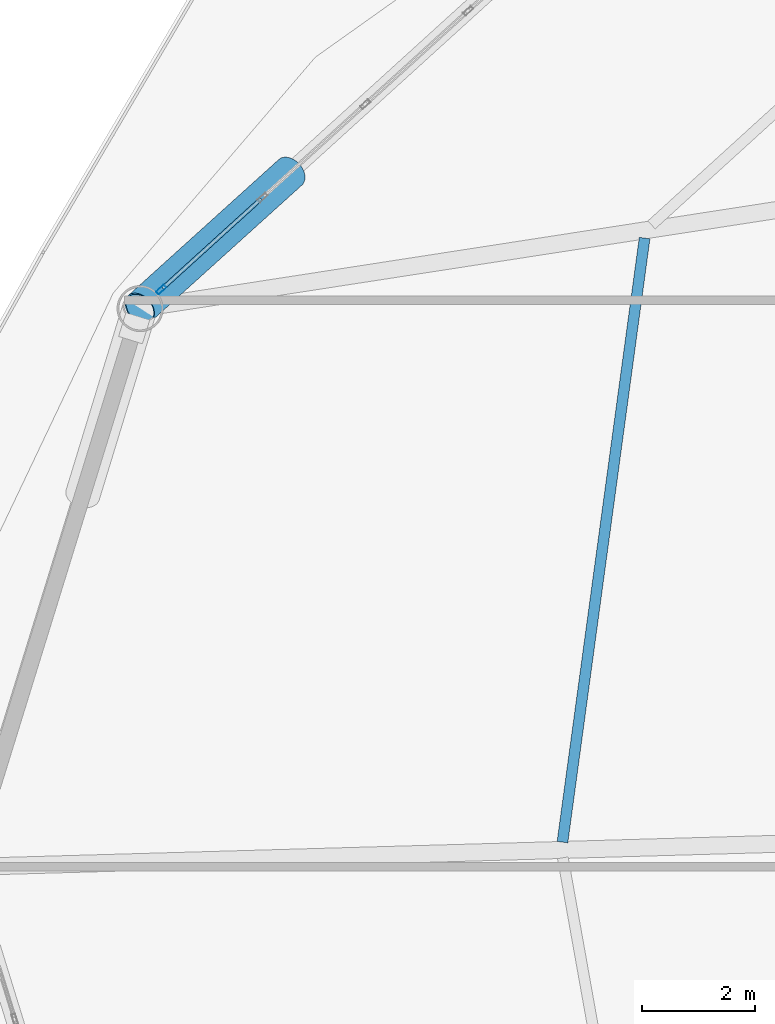
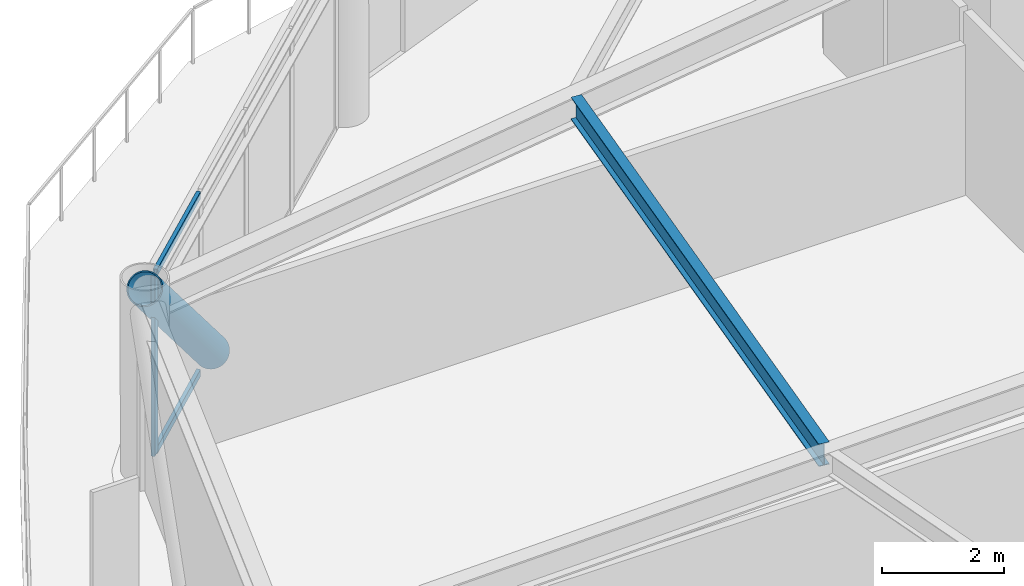
# One storey, part 9 of 23: 4 members, 1 beam, 1 element without a shape of its own.
"""IFC4 building model written with IfcOpenShell, lengths in metres."""

from ifc_helpers import new_model, si_unit, direction, frame, origin, origin_2d, place, context, subcontext, project, spatial, hollow_rectangle, hollow_circle, i_section, extrude, material, layer, layer_set, material_profile, profile_set, type_object, element, aggregate, save


model = new_model("IFC4")

# Units and contexts
model_context = context("Model", 3, precision=1e-05, world=origin(), true_north=direction((0.0, 1.0)))
body_context = subcontext(model_context, "Body", "Model", "MODEL_VIEW")
ifc_project = project(units=[si_unit("LENGTHUNIT", "METRE"), si_unit("AREAUNIT", "SQUARE_METRE"), si_unit("VOLUMEUNIT", "CUBIC_METRE"), si_unit("PLANEANGLEUNIT", "RADIAN"), si_unit("MASSUNIT", "GRAM", prefix="KILO")], contexts=[model_context])

# Site, building, storey
site_placement = place(None, origin())
site = spatial("IfcSite", under=ifc_project, at=site_placement, CompositionType="ELEMENT")
building_placement = place(site_placement, origin())
building = spatial("IfcBuilding", under=site, at=building_placement, Name="Varnakorn Sky Granary", CompositionType="ELEMENT")
storey_placement = place(building_placement, frame((0.0, 0.0, 83.699951171875)))
storey = spatial("IfcBuildingStorey", under=building, at=storey_placement, Name="L20", CompositionType="ELEMENT", Elevation=83.699951171875)

# Beam
ifc_material_1 = material(Name="Steel S355JR", Category="steel")
ifc_material_profile_1 = material_profile(ifc_material_1, i_section(OverallWidth=0.18994140625, OverallDepth=0.449951171875, WebThickness=0.009521484375, FlangeThickness=0.0146484375, at=origin_2d()), Name="IPE 450")
ifc_profile_set_1 = profile_set([ifc_material_profile_1], Name="Steel S355JR")
beam_type = type_object("IfcBeamType", Name="BM-SEC-Z2", PredefinedType="BEAM", material=ifc_profile_set_1)
beam_placement = place(storey_placement, frame((-11.395751953125, 11.097900390625, 3.4150390625), z_axis=(-0.134758741535, -0.990878439356, 0.0), x_axis=(0.990878439356, -0.134758741535, 0.0)))
element("IfcBeam", 1, at=beam_placement, inside=storey, type_object=beam_type, Name="Secondary Floor Chord Beam MSB06 L20", PredefinedType="BEAM", context=body_context, shape_type="SweptSolid", body=[
    extrude(i_section(OverallWidth=0.18994140625, OverallDepth=0.449951171875, WebThickness=0.009521484375, FlangeThickness=0.0146484375, at=origin_2d()), origin(), (0.0, 0.0, 1.0), 10.7578125),
])

# Curtain wall, members
ifc_material_2 = material(Name="Anodised Bronze Aluminium Alloy 6063-T6", Category="aluminium")
ifc_layer = layer(ifc_material_2, 0.18994140625, Name="Anodised Bronze Aluminium Alloy 6063-T6")
ifc_layer_set = layer_set([ifc_layer], Name="Anodised Bronze Aluminium Alloy 6063-T6")
curtain_wall_type = type_object("IfcCurtainWallType", Name="CW-FRM-1", PredefinedType="USERDEFINED", material=ifc_layer_set)
curtain_wall_placement = place(storey_placement, origin())
curtain_wall = element("IfcCurtainWall", 2, at=curtain_wall_placement, inside=storey, type_object=curtain_wall_type, Name="Unitised Curtain Wall CW3 CW-L20-B05", ObjectType="CURTAIN WALL", PredefinedType="USERDEFINED")
ifc_material_profile_2 = material_profile(ifc_material_2, hollow_rectangle(XDim=0.070068359375, YDim=0.18505859375, WallThickness=0.00390625, at=origin_2d()), Name="ALU MULL 70x185")
ifc_profile_set_2 = profile_set([ifc_material_profile_2], Name="Anodised Bronze Aluminium Alloy 6063-T6")
member_type_1 = type_object("IfcMemberType", Name="CW-FRM-1-MULL", PredefinedType="MULLION", material=ifc_profile_set_2)
member_1_placement = place(storey_placement, frame((-19.92578125, 10.190673828125, 0.0), z_axis=(0.0, 0.0, 1.0), x_axis=(-0.672210876204, 0.740359735476, 0.0)))
member_1 = element("IfcMember", 3, at=member_1_placement, type_object=member_type_1, Name="CW3 mullion 1", PredefinedType="MULLION", context=body_context, shape_type="SweptSolid", body=[
    extrude(hollow_rectangle(XDim=0.070068359375, YDim=0.18505859375, WallThickness=0.00390625, at=origin_2d()), origin(), (0.0, 0.0, 1.0), 3.64013671875),
])
ifc_material_profile_3 = material_profile(ifc_material_2, hollow_rectangle(XDim=0.070068359375, YDim=0.139892578125, WallThickness=0.00341796875, at=origin_2d()), Name="ALU TRAN 70x140")
ifc_profile_set_3 = profile_set([ifc_material_profile_3], Name="Anodised Bronze Aluminium Alloy 6063-T6")
member_type_2 = type_object("IfcMemberType", Name="CW-FRM-1-TRAN", PredefinedType="USERDEFINED", material=ifc_profile_set_3)
member_2_placement = place(storey_placement, frame((-19.89990234375, 10.214111328125, 0.03515625), z_axis=(0.740387541262, 0.672180250189, 0.0), x_axis=(-0.672180250189, 0.740387541262, 0.0)))
member_2 = element("IfcMember", 4, at=member_2_placement, type_object=member_type_2, Name="CW3 transom 1.1", ObjectType="TRANSOM", PredefinedType="USERDEFINED", context=body_context, shape_type="SweptSolid", body=[
    extrude(hollow_rectangle(XDim=0.070068359375, YDim=0.139892578125, WallThickness=0.00341796875, at=origin_2d()), origin(), (0.0, 0.0, 1.0), 2.344482421875),
])
member_3_placement = place(storey_placement, frame((-19.89990234375, 10.214111328125, 3.60498046875), z_axis=(0.740387541262, 0.672180250189, 0.0), x_axis=(-0.672180250189, 0.740387541262, 0.0)))
member_3 = element("IfcMember", 5, at=member_3_placement, type_object=member_type_2, Name="CW3 transom 1.2", ObjectType="TRANSOM", PredefinedType="USERDEFINED", context=body_context, shape_type="SweptSolid", body=[
    extrude(hollow_rectangle(XDim=0.070068359375, YDim=0.139892578125, WallThickness=0.00341796875, at=origin_2d()), origin(), (0.0, 0.0, 1.0), 2.344482421875),
])
aggregate(curtain_wall, [member_1, member_2, member_3])

# Member
ifc_material_3 = material(Name="Steel S460M", Category="steel")
ifc_material_profile_4 = material_profile(ifc_material_3, hollow_circle(Radius=0.304931640625, WallThickness=0.022216796875, at=origin_2d()), Name="CHS 610x22")
ifc_profile_set_4 = profile_set([ifc_material_profile_4], Name="Steel S460M")
member_type_3 = type_object("IfcMemberType", Name="MB-DIAG-T1", PredefinedType="BRACE", material=ifc_profile_set_4)
member_4_placement = place(storey_placement, frame((-17.64892578125, 12.2578125, 0.0), z_axis=(-0.520321998691, -0.470116328904, 0.71292051098), x_axis=(0.670402536768, -0.741997600195, 0.0)))
element("IfcMember", 6, at=member_4_placement, inside=storey, type_object=member_type_3, Name="Perimeter CHS Diagrid Brace DG05 L20", PredefinedType="BRACE", context=body_context, shape_type="SweptSolid", body=[
    extrude(hollow_circle(Radius=0.304931640625, WallThickness=0.022216796875, at=origin_2d()), origin(), (0.0, 0.0, 1.0), 5.10595703125),
])

save(model, "model.ifc")
